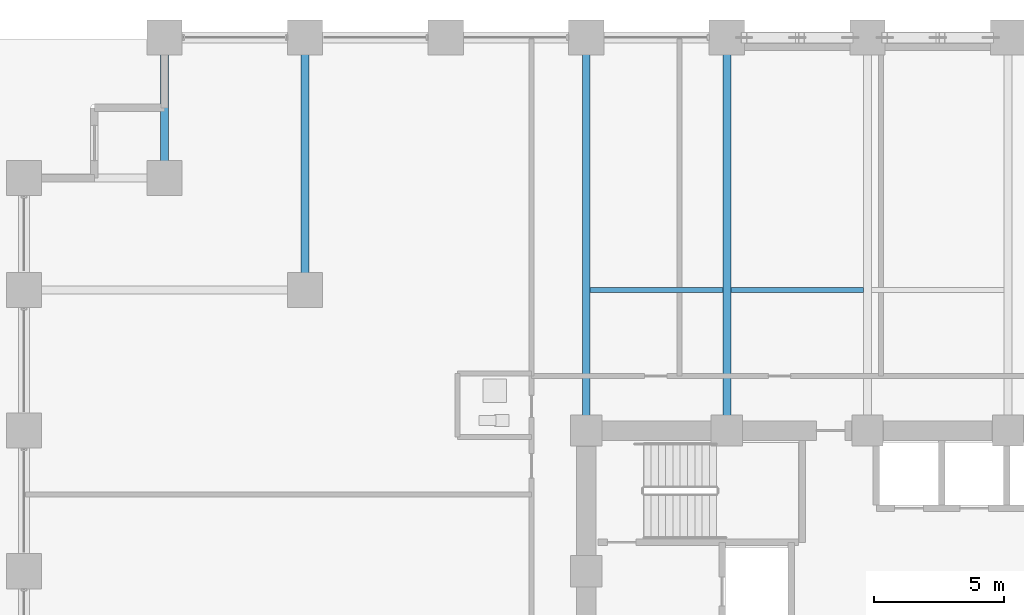
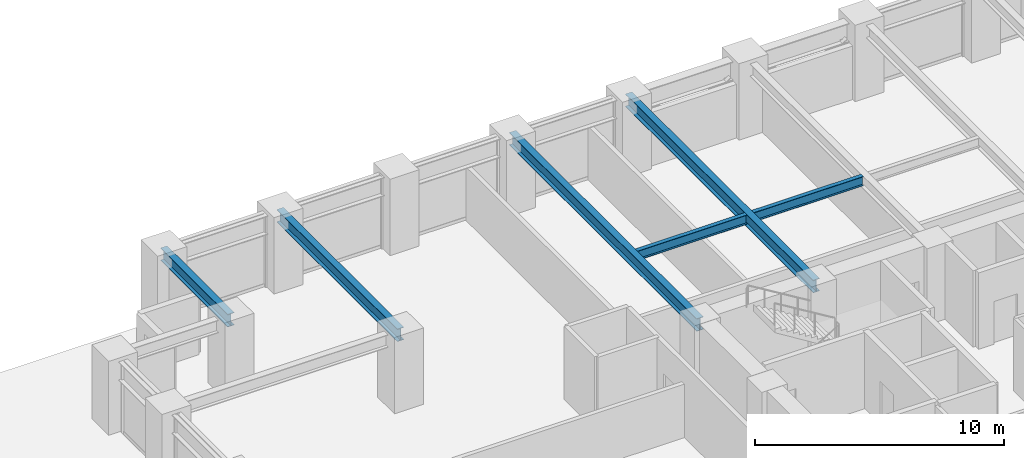
# One storey, part 11 of 27: 6 beams.
"""IFC4 building model written with IfcOpenShell, lengths in metres."""

import ifcopenshell
import ifcopenshell.guid

model = None  # the IFC model being written
_history = None  # IfcOwnerHistory: only IFC2X3 demands one
_inside = {}  # id of a spatial element -> (the spatial element, [elements in it])
_under = {}  # id of a project, library or spatial element -> (it, [spatial elements below it])
_declared = {}  # id of a project -> (the project, [libraries it declares])
_typed = {}  # id of a type object -> (the type object, [elements of that type])
_made_of = {}  # id of a material, layer set ... -> (it, [elements and type objects made of it])


def new_model(schema):
    """Start an empty IFC model of exactly this schema.

    Asked for "IFC4X3", IfcOpenShell would pick the latest addendum, in which some entities
    have other attributes; the version numbers below select the first issue.
    IFC2X3 requires an IfcOwnerHistory on every rooted entity: one is made here for all.
    """
    global model, _history
    if schema == "IFC4X3":
        model = ifcopenshell.file(schema_version=(4, 3, 0, 0))
    else:
        model = ifcopenshell.file(schema=schema)
    _inside.clear()
    _under.clear()
    _declared.clear()
    _typed.clear()
    _made_of.clear()
    _history = None
    if model.schema == "IFC2X3":
        org = make("IfcOrganization", Name="unknown")
        user = make(
            "IfcPersonAndOrganization",
            ThePerson=make("IfcPerson", FamilyName="unknown"),
            TheOrganization=org,
        )
        app = make(
            "IfcApplication",
            ApplicationDeveloper=org,
            Version="unknown",
            ApplicationFullName="unknown",
            ApplicationIdentifier="unknown",
        )
        _history = make(
            "IfcOwnerHistory",
            OwningUser=user,
            OwningApplication=app,
            ChangeAction="ADDED",
            CreationDate=0,
        )
    return model


def make(cls, **values):
    """One entity of the class cls with the attributes given. An attribute that is None is left unset."""
    return model.create_entity(
        cls, **{name: value for name, value in values.items() if value is not None}
    )


def rooted(cls, **values):
    """An entity with a GlobalId (a new one), such as an element, a storey or a relation."""
    return make(cls, GlobalId=ifcopenshell.guid.new(), OwnerHistory=_history, **values)


def si_unit(unit_type, name, prefix=None):
    """IfcSIUnit, for example si_unit("LENGTHUNIT", "METRE", prefix="MILLI")."""
    return make("IfcSIUnit", UnitType=unit_type, Prefix=prefix, Name=name)


def assignment(units):
    """IfcUnitAssignment: the units of a project."""
    return None if units is None else make("IfcUnitAssignment", Units=units)


def point(xyz):
    """IfcCartesianPoint."""
    return None if xyz is None else make("IfcCartesianPoint", Coordinates=xyz)


def direction(xyz):
    """IfcDirection."""
    return None if xyz is None else make("IfcDirection", DirectionRatios=xyz)


def frame(location, z_axis=None, x_axis=None):
    """IfcAxis2Placement3D, a coordinate frame: its origin and axes. An axis left out is left unset."""
    return make(
        "IfcAxis2Placement3D",
        Location=point(location),
        Axis=direction(z_axis),
        RefDirection=direction(x_axis),
    )


def frame_2d(location, x_axis=None):
    """IfcAxis2Placement2D, a coordinate frame in the plane: its origin and x axis."""
    return make(
        "IfcAxis2Placement2D", Location=point(location), RefDirection=direction(x_axis)
    )


def origin():
    """The frame at (0, 0, 0) with its axes left unset."""
    return frame((0.0, 0.0, 0.0))


def origin_2d():
    """The frame at (0, 0) in the plane with its x axis left unset."""
    return frame_2d((0.0, 0.0))


def place(relative_to, where):
    """IfcLocalPlacement: puts the frame where relative to a parent placement (None: the world)."""
    return make(
        "IfcLocalPlacement", PlacementRelTo=relative_to, RelativePlacement=where
    )


def context(
    kind, dimensions, precision=None, world=None, true_north=None, identifier=None
):
    """IfcGeometricRepresentationContext, for example the 3D "Model" context."""
    return make(
        "IfcGeometricRepresentationContext",
        ContextIdentifier=identifier,
        ContextType=kind,
        CoordinateSpaceDimension=dimensions,
        Precision=precision,
        WorldCoordinateSystem=world,
        TrueNorth=true_north,
    )


def subcontext(parent, identifier, kind, view, scale=None):
    """IfcGeometricRepresentationSubContext, for example "Body" below "Model"."""
    return make(
        "IfcGeometricRepresentationSubContext",
        ContextIdentifier=identifier,
        ContextType=kind,
        ParentContext=parent,
        TargetScale=scale,
        TargetView=view,
    )


def project(units=None, contexts=None):
    """IfcProject with its units and contexts."""
    return rooted(
        "IfcProject",
        Name="project",
        RepresentationContexts=contexts,
        UnitsInContext=assignment(units),
    )


def spatial(cls, under=None, at=None, **own):
    """A site, building, storey or space (cls), placed at a placement, below another one or the project."""
    s = rooted(cls, ObjectPlacement=at, **own)
    if under is not None:
        _under.setdefault(under.id(), (under, []))[1].append(s)
    return s


def profile(cls, at=None, kind="AREA", **sizes):
    """A parametric profile (cls). Its sizes go by their IFC names, for example OverallWidth=200.0."""
    return make(cls, ProfileType=kind, Position=at, **sizes)


def i_section(**sizes):
    """IfcIShapeProfileDef."""
    return profile("IfcIShapeProfileDef", **sizes)


def extrude(swept, where, along, depth):
    """IfcExtrudedAreaSolid: the profile swept, set in the frame where, extruded along a direction by depth."""
    return make(
        "IfcExtrudedAreaSolid",
        SweptArea=swept,
        Position=where,
        ExtrudedDirection=direction(along),
        Depth=depth,
    )


def shape(context_of_items, identifier, shape_type, items):
    """IfcShapeRepresentation: the items that make up one representation, for example the "Body"."""
    return make(
        "IfcShapeRepresentation",
        ContextOfItems=context_of_items,
        RepresentationIdentifier=identifier,
        RepresentationType=shape_type,
        Items=items,
    )


def material(Name=None, Category=None):
    """IfcMaterial."""
    return make("IfcMaterial", Name=Name, Category=Category)


def material_profile(
    of_material, cross_section, Name=None, Category=None, Priority=None
):
    """IfcMaterialProfile: a cross section and its material."""
    return make(
        "IfcMaterialProfile",
        Name=Name,
        Material=of_material,
        Profile=cross_section,
        Priority=Priority,
        Category=Category,
    )


def profile_set(profiles, Name=None, composite=None):
    """IfcMaterialProfileSet."""
    return make(
        "IfcMaterialProfileSet",
        Name=Name,
        MaterialProfiles=profiles,
        CompositeProfile=composite,
    )


def made_of(thing, what):
    """Note that an element or type object is made of a material, layer set ...; save() writes the relation."""
    if what is not None:
        _made_of.setdefault(what.id(), (what, []))[1].append(thing)
    return thing


def type_object(cls, material=None, **own):
    """A type object (cls), such as IfcWallType, which elements share."""
    return made_of(rooted(cls, **own), material)


def element(
    cls,
    number,
    at=None,
    inside=None,
    cuts=None,
    type_object=None,
    material=None,
    context=None,
    identifier="Body",
    shape_type=None,
    held_by="IfcProductDefinitionShape",
    body=None,
    shapes=None,
    **own,
):
    """One element of the class cls, such as IfcWall. Its Tag is "e" and its number.

    at: its placement. inside: the storey or other place that contains it. cuts: it is an
    opening in that element (IfcRelVoidsElement). A single representation is given by context,
    identifier, shape_type and body (its items); several are given by shapes. held_by: the class
    of the entity that holds the representations. save() writes the other relations.
    """
    e = rooted(cls, Tag="e%d" % number, ObjectPlacement=at, **own)
    if body is not None:
        shapes = [shape(context, identifier, shape_type, body)]
    if shapes is not None:
        e.Representation = make(held_by, Representations=shapes)
    if inside is not None:
        _inside.setdefault(inside.id(), (inside, []))[1].append(e)
    if cuts is not None:
        rooted(
            "IfcRelVoidsElement", RelatingBuildingElement=cuts, RelatedOpeningElement=e
        )
    if type_object is not None:
        _typed.setdefault(type_object.id(), (type_object, []))[1].append(e)
    return made_of(e, material)


def aggregate(whole, parts):
    """IfcRelAggregates: a whole, such as a stair, and the parts it consists of."""
    return rooted("IfcRelAggregates", RelatingObject=whole, RelatedObjects=parts)


def save(model, path):
    """Write the relations noted so far, then the file.

    IfcRelAggregates (storeys below a building ...), IfcRelContainedInSpatialStructure (elements
    in a storey), IfcRelDefinesByType, IfcRelAssociatesMaterial and IfcRelDeclares: one each for
    every whole, place, type object, material and project.
    """
    for whole, parts in _under.values():
        aggregate(whole, parts)
    for where, things in _inside.values():
        rooted(
            "IfcRelContainedInSpatialStructure",
            RelatedElements=things,
            RelatingStructure=where,
        )
    for kind, things in _typed.values():
        rooted("IfcRelDefinesByType", RelatedObjects=things, RelatingType=kind)
    for what, things in _made_of.values():
        rooted("IfcRelAssociatesMaterial", RelatedObjects=things, RelatingMaterial=what)
    for by, libraries in _declared.values():
        rooted("IfcRelDeclares", RelatingContext=by, RelatedDefinitions=libraries)
    model.write(path)


model = new_model("IFC4")

# Units and contexts
model_context = context("Model", 3, precision=1e-05, world=origin(), true_north=direction((0.0, 1.0)))
body_context = subcontext(model_context, "Body", "Model", "MODEL_VIEW")
ifc_project = project(units=[si_unit("LENGTHUNIT", "METRE"), si_unit("AREAUNIT", "SQUARE_METRE"), si_unit("VOLUMEUNIT", "CUBIC_METRE"), si_unit("PLANEANGLEUNIT", "RADIAN"), si_unit("MASSUNIT", "GRAM", prefix="KILO")], contexts=[model_context])

# Site, building, storey
site_placement = place(None, origin())
site = spatial("IfcSite", under=ifc_project, at=site_placement, CompositionType="ELEMENT")
building_placement = place(site_placement, origin())
building = spatial("IfcBuilding", under=site, at=building_placement, Name="Surkhivell Harbour Commons", CompositionType="ELEMENT")
storey_placement = place(building_placement, frame((0.0, 0.0, 22.5)))
storey = spatial("IfcBuildingStorey", under=building, at=storey_placement, Name="L05", CompositionType="ELEMENT", Elevation=22.5)

# Beams
ifc_material = material(Name="Steel S355", Category="steel")
ifc_material_profile_1 = material_profile(ifc_material, i_section(OverallWidth=0.306884765625, OverallDepth=0.6201171875, WebThickness=0.01416015625, FlangeThickness=0.023681640625, at=origin_2d()), Name="UB610x305x179")
ifc_profile_set_1 = profile_set([ifc_material_profile_1], Name="Steel S355")
beam_type_1 = type_object("IfcBeamType", Name="BM-GRD-610A", PredefinedType="BEAM", material=ifc_profile_set_1)
beam_1_placement = place(storey_placement, frame((-27.0, 20.5, 3.260009765625), z_axis=(0.0, 1.0, 0.0), x_axis=(-1.0, 0.0, 0.0)))
element("IfcBeam", 1, at=beam_1_placement, inside=storey, type_object=beam_type_1, Name="L05 Floor Girder (-27.0,20.5)", PredefinedType="BEAM", context=body_context, shape_type="SweptSolid", body=[
    extrude(i_section(OverallWidth=0.306884765625, OverallDepth=0.6201171875, WebThickness=0.01416015625, FlangeThickness=0.023681640625, at=origin_2d()), origin(), (0.0, 0.0, 1.0), 5.39990234375),
])
beam_2_placement = place(storey_placement, frame((-21.60009765625, 16.199951171875, 3.260009765625), z_axis=(0.0, 1.0, 0.0), x_axis=(-1.0, 0.0, 0.0)))
element("IfcBeam", 2, at=beam_2_placement, inside=storey, type_object=beam_type_1, Name="L05 Floor Girder (-21.6,16.2)", PredefinedType="BEAM", context=body_context, shape_type="SweptSolid", body=[
    extrude(i_section(OverallWidth=0.306884765625, OverallDepth=0.6201171875, WebThickness=0.01416015625, FlangeThickness=0.023681640625, at=origin_2d()), origin(), (0.0, 0.0, 1.0), 9.699951171875),
])
for number, where, z_axis, x_axis, name in (
    (3, (-10.800048828125, 10.800048828125, 3.260009765625), (0.0, 1.0, 0.0), (-1.0, 0.0, 0.0), "L05 Floor Girder (-10.8,10.8)"),
    (4, (-5.39990234375, 10.800048828125, 3.260009765625), (0.0, 1.0, 0.0), (-1.0, 0.0, 0.0), "L05 Floor Girder (-5.4,10.8)"),
):
    element("IfcBeam", number, at=place(storey_placement, frame(where, z_axis=z_axis, x_axis=x_axis)), inside=storey, type_object=beam_type_1, Name=name, PredefinedType="BEAM", context=body_context, shape_type="SweptSolid", body=[
        extrude(i_section(OverallWidth=0.306884765625, OverallDepth=0.6201171875, WebThickness=0.01416015625, FlangeThickness=0.023681640625, at=origin_2d()), origin(), (0.0, 0.0, 1.0), 15.099853515625),
    ])
ifc_material_profile_2 = material_profile(ifc_material, i_section(OverallWidth=0.19189453125, OverallDepth=0.462890625, WebThickness=0.010498046875, FlangeThickness=0.017578125, at=origin_2d()), Name="UB457x191x89")
ifc_profile_set_2 = profile_set([ifc_material_profile_2], Name="Steel S355")
beam_type_2 = type_object("IfcBeamType", Name="BM-JST-457A", PredefinedType="JOIST", material=ifc_profile_set_2)
for number, where, z_axis, x_axis, name in (
    (5, (-10.6484375, 16.199951171875, 3.33837890625), (1.0, 0.0, 0.0), (0.0, 1.0, 0.0), "L05 North Composite Joist (-10.8)"),
    (6, (-5.24853515625, 16.199951171875, 3.33837890625), (1.0, 0.0, 0.0), (0.0, 1.0, 0.0), "L05 North Composite Joist (-5.4)"),
):
    element("IfcBeam", number, at=place(storey_placement, frame(where, z_axis=z_axis, x_axis=x_axis)), inside=storey, type_object=beam_type_2, Name=name, PredefinedType="JOIST", context=body_context, shape_type="SweptSolid", body=[
        extrude(i_section(OverallWidth=0.19189453125, OverallDepth=0.462890625, WebThickness=0.010498046875, FlangeThickness=0.017578125, at=origin_2d()), origin(), (0.0, 0.0, 1.0), 5.096923828125),
    ])

save(model, "model.ifc")
